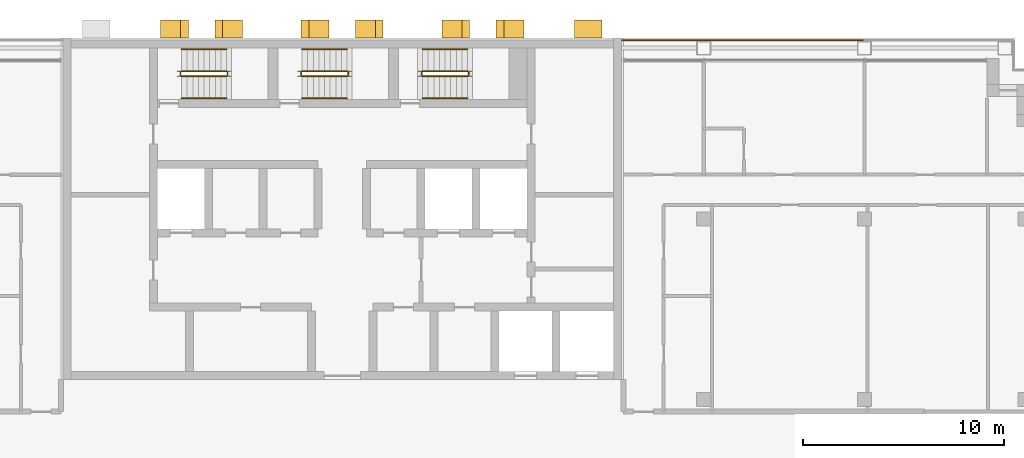
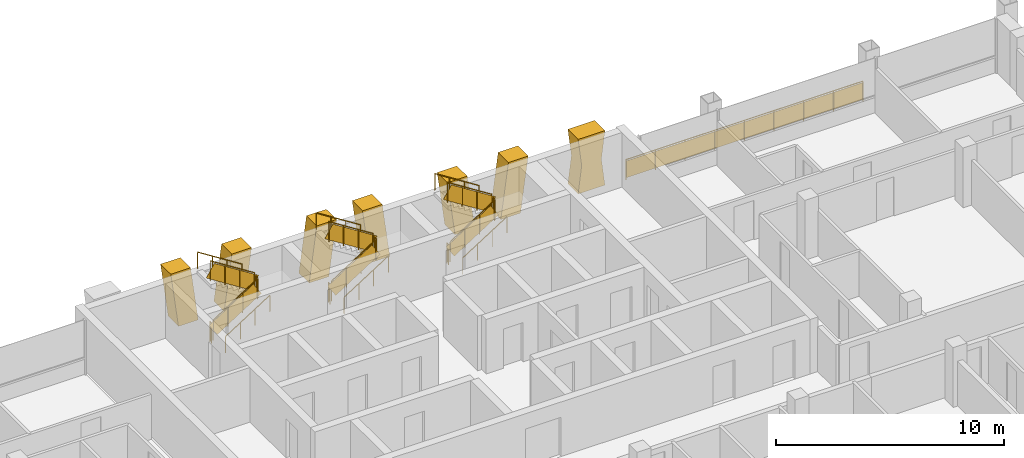
# One storey, part 15 of 16: 19 railings, 7 shading devices.
"""IFC4 building model written with IfcOpenShell, lengths in metres."""

from ifc_helpers import new_model, si_unit, direction, frame, origin, origin_2d, place, context, subcontext, project, spatial, polyline, rectangle, circle, outline, extrude, material, layer, layer_set, type_object, element, save


model = new_model("IFC4")

# Units and contexts
model_context = context("Model", 3, precision=1e-05, world=origin(), true_north=direction((0.0, 1.0)))
body_context = subcontext(model_context, "Body", "Model", "MODEL_VIEW")
ifc_project = project(units=[si_unit("LENGTHUNIT", "METRE"), si_unit("AREAUNIT", "SQUARE_METRE"), si_unit("VOLUMEUNIT", "CUBIC_METRE"), si_unit("PLANEANGLEUNIT", "RADIAN"), si_unit("MASSUNIT", "GRAM", prefix="KILO")], contexts=[model_context])

# Site, building, storey
site_placement = place(None, origin())
site = spatial("IfcSite", under=ifc_project, at=site_placement, CompositionType="ELEMENT")
building_placement = place(site_placement, origin())
building = spatial("IfcBuilding", under=site, at=building_placement, Name="Vidyagriha Tower", CompositionType="ELEMENT")
storey_placement = place(building_placement, frame((0.0, 0.0, 174.89990234375)))
storey = spatial("IfcBuildingStorey", under=building, at=storey_placement, Name="L45", CompositionType="ELEMENT", Elevation=174.89990234375)

# Shading devices
ifc_material_1 = material(Name="Precast concrete C40/50 with brick facing", Category="concrete")
ifc_layer_1 = layer(ifc_material_1, 1.0)
ifc_layer_set_1 = layer_set([ifc_layer_1], Name="Precast concrete C40/50 with brick facing")
shading_device_type_1 = type_object("IfcShadingDeviceType", Name="Brick-faced rear rib arm leaning 8 degrees", PredefinedType="USERDEFINED", material=ifc_layer_set_1)
shading_device_1_placement = place(storey_placement, frame((6.343017578125, 20.449951171875, 0.0), z_axis=(0.0, 0.0, 1.0), x_axis=(-1.0, 0.0, 0.0)))
element("IfcShadingDevice", 1, at=shading_device_1_placement, inside=storey, type_object=shading_device_type_1, Name="Rear rib arm L45 R08.2a", ObjectType="BLADE FIN", PredefinedType="USERDEFINED", context=body_context, shape_type="SweptSolid", body=[
    extrude(outline(polyline([(0.0, 0.0), (1.0, 0.0), (1.3857421875, 2.920166015625), (0.3857421875, 2.920166015625), (0.0, 0.0)])), frame((0.0, 0.449951171875, 0.0), z_axis=(0.0, -1.0, 0.0), x_axis=(1.0, 0.0, 0.0)), (0.0, 0.0, 1.0), 0.89990234375),
])
shading_device_2_placement = place(storey_placement, frame((9.04296875, 20.449951171875, 0.0), z_axis=(0.0, 0.0, 1.0), x_axis=(-1.0, 0.0, 0.0)))
element("IfcShadingDevice", 2, at=shading_device_2_placement, inside=storey, type_object=shading_device_type_1, Name="Rear rib arm L45 R08.2b", ObjectType="BLADE FIN", PredefinedType="USERDEFINED", context=body_context, shape_type="SweptSolid", body=[
    extrude(outline(polyline([(0.3857421875, 0.0), (1.3857421875, 0.0), (1.0, 2.920166015625), (0.0, 2.920166015625), (0.3857421875, 0.0)])), frame((0.0, 0.449951171875, 0.0), z_axis=(0.0, -1.0, 0.0), x_axis=(1.0, 0.0, 0.0)), (0.0, 0.0, 1.0), 0.89990234375),
])
shading_device_3_placement = place(storey_placement, frame((2.04296875, 20.449951171875, 0.0), z_axis=(0.0, 0.0, 1.0), x_axis=(-1.0, 0.0, 0.0)))
element("IfcShadingDevice", 3, at=shading_device_3_placement, inside=storey, type_object=shading_device_type_1, Name="Rear rib arm L45 R08.3a", ObjectType="BLADE FIN", PredefinedType="USERDEFINED", context=body_context, shape_type="SweptSolid", body=[
    extrude(outline(polyline([(0.0, 0.0), (1.0, 0.0), (1.3857421875, 2.920166015625), (0.3857421875, 2.920166015625), (0.0, 0.0)])), frame((0.0, 0.449951171875, 0.0), z_axis=(0.0, -1.0, 0.0), x_axis=(1.0, 0.0, 0.0)), (0.0, 0.0, 1.0), 0.89990234375),
])
shading_device_4_placement = place(storey_placement, frame((-0.656982421875, 20.449951171875, 0.0), z_axis=(0.0, 0.0, 1.0), x_axis=(-1.0, 0.0, 0.0)))
element("IfcShadingDevice", 4, at=shading_device_4_placement, inside=storey, type_object=shading_device_type_1, Name="Rear rib arm L45 R08.3b", ObjectType="BLADE FIN", PredefinedType="USERDEFINED", context=body_context, shape_type="SweptSolid", body=[
    extrude(outline(polyline([(0.3857421875, 0.0), (1.3857421875, 0.0), (1.0, 2.920166015625), (0.0, 2.920166015625), (0.3857421875, 0.0)])), frame((0.0, 0.449951171875, 0.0), z_axis=(0.0, -1.0, 0.0), x_axis=(1.0, 0.0, 0.0)), (0.0, 0.0, 1.0), 0.89990234375),
])
shading_device_5_placement = place(storey_placement, frame((-7.656982421875, 20.449951171875, 0.0), z_axis=(0.0, 0.0, 1.0), x_axis=(-1.0, 0.0, 0.0)))
element("IfcShadingDevice", 5, at=shading_device_5_placement, inside=storey, type_object=shading_device_type_1, Name="Rear rib arm L45 R08.4a", ObjectType="BLADE FIN", PredefinedType="USERDEFINED", context=body_context, shape_type="SweptSolid", body=[
    extrude(outline(polyline([(0.0, 0.0), (1.0, 0.0), (1.3857421875, 2.920166015625), (0.3857421875, 2.920166015625), (0.0, 0.0)])), frame((0.0, 0.449951171875, 0.0), z_axis=(0.0, -1.0, 0.0), x_axis=(1.0, 0.0, 0.0)), (0.0, 0.0, 1.0), 0.89990234375),
])
shading_device_6_placement = place(storey_placement, frame((-4.95703125, 20.449951171875, 0.0), z_axis=(0.0, 0.0, 1.0), x_axis=(-1.0, 0.0, 0.0)))
element("IfcShadingDevice", 6, at=shading_device_6_placement, inside=storey, type_object=shading_device_type_1, Name="Rear rib arm L45 R08.4b", ObjectType="BLADE FIN", PredefinedType="USERDEFINED", context=body_context, shape_type="SweptSolid", body=[
    extrude(outline(polyline([(0.3857421875, 0.0), (1.3857421875, 0.0), (1.0, 2.920166015625), (0.0, 2.920166015625), (0.3857421875, 0.0)])), frame((0.0, 0.449951171875, 0.0), z_axis=(0.0, -1.0, 0.0), x_axis=(1.0, 0.0, 0.0)), (0.0, 0.0, 1.0), 0.89990234375),
])
ifc_material_2 = material(Name="Precast concrete C40/50 with brick facing", Category="concrete")
ifc_layer_2 = layer(ifc_material_2, 1.0)
ifc_layer_set_2 = layer_set([ifc_layer_2], Name="Precast concrete C40/50 with brick facing")
shading_device_type_2 = type_object("IfcShadingDeviceType", Name="Brick-faced rear rib forking 8 degrees", PredefinedType="USERDEFINED", material=ifc_layer_set_2)
shading_device_7_placement = place(storey_placement, frame((12.9287109375, 20.449951171875, 0.0), z_axis=(0.0, 0.0, 1.0), x_axis=(-1.0, 0.0, 0.0)))
element("IfcShadingDevice", 7, at=shading_device_7_placement, inside=storey, type_object=shading_device_type_2, Name="Rear rib fork L45 R08.1a", ObjectType="BLADE FIN", PredefinedType="USERDEFINED", context=body_context, shape_type="SweptSolid", body=[
    extrude(outline(polyline([(0.0, 0.0), (1.357177734375, 0.0), (1.1787109375, 1.460205078125), (1.357177734375, 2.920166015625), (0.0, 2.920166015625), (0.1787109375, 1.460205078125), (0.0, 0.0)])), frame((0.0, 0.449951171875, 0.0), z_axis=(0.0, -1.0, 0.0), x_axis=(1.0, 0.0, 0.0)), (0.0, 0.0, 1.0), 0.89990234375),
])

# Railings
ifc_material_3 = material(Name="Steel ASTM A500 Grade C black painted", Category="steel")
railing_type_1 = type_object("IfcRailingType", Name="Gallery guard 1100", PredefinedType="GUARDRAIL", material=ifc_material_3)
railing_1_placement = place(storey_placement, frame((13.929931640625, 19.89990234375, 0.0)))
element("IfcRailing", 8, at=railing_1_placement, inside=storey, type_object=railing_type_1, Name="Gallery guard L45 6", PredefinedType="GUARDRAIL", context=body_context, shape_type="SweptSolid", body=[
    extrude(circle(Radius=0.02490234375, at=origin_2d()), frame((0.0, 0.0, 1.0751953125), z_axis=(1.0, 0.0, 0.0), x_axis=(0.0, 1.0, 0.0)), (0.0, 0.0, 1.0), 12.0),
    extrude(circle(Radius=0.02001953125, at=origin_2d()), origin(), (0.0, 0.0, 1.0), 1.050048828125),
    extrude(circle(Radius=0.02001953125, at=origin_2d()), frame((1.5, 0.0, 0.0)), (0.0, 0.0, 1.0), 1.050048828125),
    extrude(circle(Radius=0.02001953125, at=origin_2d()), frame((3.0, 0.0, 0.0)), (0.0, 0.0, 1.0), 1.050048828125),
    extrude(circle(Radius=0.02001953125, at=origin_2d()), frame((4.5, 0.0, 0.0)), (0.0, 0.0, 1.0), 1.050048828125),
    extrude(circle(Radius=0.02001953125, at=origin_2d()), frame((6.0, 0.0, 0.0)), (0.0, 0.0, 1.0), 1.050048828125),
    extrude(circle(Radius=0.02001953125, at=origin_2d()), frame((7.5, 0.0, 0.0)), (0.0, 0.0, 1.0), 1.050048828125),
    extrude(circle(Radius=0.02001953125, at=origin_2d()), frame((9.0, 0.0, 0.0)), (0.0, 0.0, 1.0), 1.050048828125),
    extrude(circle(Radius=0.02001953125, at=origin_2d()), frame((10.5, 0.0, 0.0)), (0.0, 0.0, 1.0), 1.050048828125),
    extrude(circle(Radius=0.02001953125, at=origin_2d()), frame((12.0, 0.0, 0.0)), (0.0, 0.0, 1.0), 1.050048828125),
    extrude(rectangle(XDim=0.010009765625, YDim=0.900146484375, at=origin_2d()), frame((0.0, 0.0, 0.550048828125), z_axis=(1.0, 0.0, 0.0), x_axis=(0.0, 1.0, 0.0)), (0.0, 0.0, 1.0), 12.0),
])
ifc_material_4 = material(Name="Steel ASTM A500 Grade C", Category="steel")
railing_type_2 = type_object("IfcRailingType", Name="Stair guard 1100 mm, steel balustrade", PredefinedType="GUARDRAIL", material=ifc_material_4)
railing_2_placement = place(storey_placement, frame((-8.0, 18.10009765625, 0.177978515625)))
element("IfcRailing", 9, at=railing_2_placement, inside=storey, type_object=railing_type_2, Name="L45 ST1 stair guard 1", PredefinedType="GUARDRAIL", context=body_context, shape_type="SweptSolid", body=[
    extrude(circle(Radius=0.02392578125, at=origin_2d()), frame((0.0, 0.0, 1.076171875), z_axis=(0.8442293374, 0.0, 0.53598211339), x_axis=(0.0, 1.0, 0.0)), (0.0, 0.0, 1.0), 2.6533203125),
    extrude(circle(Radius=0.02099609375, at=origin_2d()), origin(), (0.0, 0.0, 1.0), 1.052001953125),
    extrude(circle(Radius=0.02099609375, at=origin_2d()), frame((0.74658203125, 0.0, 0.47412109375)), (0.0, 0.0, 1.0), 1.052001953125),
    extrude(circle(Radius=0.02099609375, at=origin_2d()), frame((1.493408203125, 0.0, 0.947998046875)), (0.0, 0.0, 1.0), 1.052001953125),
    extrude(circle(Radius=0.02099609375, at=origin_2d()), frame((2.239990234375, 0.0, 1.422119140625)), (0.0, 0.0, 1.0), 1.052001953125),
    extrude(rectangle(XDim=0.010009765625, YDim=0.761474609375, at=origin_2d()), frame((0.0, 0.0, 0.551025390625), z_axis=(0.8442293374, 0.0, 0.53598211339), x_axis=(0.0, 1.0, 0.0)), (0.0, 0.0, 1.0), 2.6533203125),
])
railing_3_placement = place(storey_placement, frame((-5.7099609375, 18.14990234375, 1.60009765625)))
element("IfcRailing", 10, at=railing_3_placement, inside=storey, type_object=railing_type_2, Name="L45 ST1 stair guard 2", PredefinedType="GUARDRAIL", context=body_context, shape_type="SweptSolid", body=[
    extrude(circle(Radius=0.02392578125, at=origin_2d()), frame((0.0, 0.0, 1.076171875), z_axis=(0.0, 1.0, 0.0), x_axis=(-1.0, 0.0, 0.0)), (0.0, 0.0, 1.0), 0.150146484375),
    extrude(circle(Radius=0.02099609375, at=origin_2d()), origin(), (0.0, 0.0, 1.0), 1.052001953125),
    extrude(circle(Radius=0.02099609375, at=origin_2d()), frame((0.0, 0.150146484375, 0.0)), (0.0, 0.0, 1.0), 1.052001953125),
    extrude(rectangle(XDim=0.010009765625, YDim=0.902099609375, at=origin_2d()), frame((0.0, 0.0, 0.551025390625), z_axis=(0.0, 1.0, 0.0), x_axis=(-1.0, 0.0, 0.0)), (0.0, 0.0, 1.0), 0.150146484375),
])
railing_4_placement = place(storey_placement, frame((-5.760009765625, 18.35009765625, 1.77783203125)))
element("IfcRailing", 11, at=railing_4_placement, inside=storey, type_object=railing_type_2, Name="L45 ST1 stair guard 3", PredefinedType="GUARDRAIL", context=body_context, shape_type="SweptSolid", body=[
    extrude(circle(Radius=0.02392578125, at=origin_2d()), frame((0.0, 0.0, 1.076171875), z_axis=(-0.84418770128, 0.0, 0.536047689118), x_axis=(0.0, -1.0, 0.0)), (0.0, 0.0, 1.0), 2.6533203125),
    extrude(circle(Radius=0.02099609375, at=origin_2d()), origin(), (0.0, 0.0, 1.0), 1.052001953125),
    extrude(circle(Radius=0.02099609375, at=origin_2d()), frame((-0.74658203125, 0.0, 0.47412109375)), (0.0, 0.0, 1.0), 1.052001953125),
    extrude(circle(Radius=0.02099609375, at=origin_2d()), frame((-1.493408203125, 0.0, 0.9482421875)), (0.0, 0.0, 1.0), 1.052001953125),
    extrude(circle(Radius=0.02099609375, at=origin_2d()), frame((-2.239990234375, 0.0, 1.42236328125)), (0.0, 0.0, 1.0), 1.052001953125),
    extrude(rectangle(XDim=0.010009765625, YDim=0.761474609375, at=origin_2d()), frame((0.0, 0.0, 0.551025390625), z_axis=(-0.84418770128, 0.0, 0.536047689118), x_axis=(0.0, -1.0, 0.0)), (0.0, 0.0, 1.0), 2.6533203125),
])
railing_5_placement = place(storey_placement, frame((-8.050048828125, 18.14990234375, 0.0)))
element("IfcRailing", 12, at=railing_5_placement, inside=storey, type_object=railing_type_2, Name="L45 ST1 stair guard 4", PredefinedType="GUARDRAIL", context=body_context, shape_type="SweptSolid", body=[
    extrude(circle(Radius=0.02392578125, at=origin_2d()), frame((0.0, 0.0, 1.076171875), z_axis=(0.0, 1.0, 0.0), x_axis=(-1.0, 0.0, 0.0)), (0.0, 0.0, 1.0), 0.150146484375),
    extrude(circle(Radius=0.02099609375, at=origin_2d()), origin(), (0.0, 0.0, 1.0), 1.052001953125),
    extrude(circle(Radius=0.02099609375, at=origin_2d()), frame((0.0, 0.150146484375, 0.0)), (0.0, 0.0, 1.0), 1.052001953125),
    extrude(rectangle(XDim=0.010009765625, YDim=0.902099609375, at=origin_2d()), frame((0.0, 0.0, 0.551025390625), z_axis=(0.0, 1.0, 0.0), x_axis=(-1.0, 0.0, 0.0)), (0.0, 0.0, 1.0), 0.150146484375),
])
railing_6_placement = place(storey_placement, frame((-2.0, 18.10009765625, 0.177978515625)))
element("IfcRailing", 13, at=railing_6_placement, inside=storey, type_object=railing_type_2, Name="L45 ST2 stair guard 1", PredefinedType="GUARDRAIL", context=body_context, shape_type="SweptSolid", body=[
    extrude(circle(Radius=0.02392578125, at=origin_2d()), frame((0.0, 0.0, 1.076171875), z_axis=(0.8442293374, 0.0, 0.53598211339), x_axis=(0.0, 1.0, 0.0)), (0.0, 0.0, 1.0), 2.6533203125),
    extrude(circle(Radius=0.02099609375, at=origin_2d()), origin(), (0.0, 0.0, 1.0), 1.052001953125),
    extrude(circle(Radius=0.02099609375, at=origin_2d()), frame((0.74658203125, 0.0, 0.47412109375)), (0.0, 0.0, 1.0), 1.052001953125),
    extrude(circle(Radius=0.02099609375, at=origin_2d()), frame((1.493408203125, 0.0, 0.947998046875)), (0.0, 0.0, 1.0), 1.052001953125),
    extrude(circle(Radius=0.02099609375, at=origin_2d()), frame((2.239990234375, 0.0, 1.422119140625)), (0.0, 0.0, 1.0), 1.052001953125),
    extrude(rectangle(XDim=0.010009765625, YDim=0.761474609375, at=origin_2d()), frame((0.0, 0.0, 0.551025390625), z_axis=(0.8442293374, 0.0, 0.53598211339), x_axis=(0.0, 1.0, 0.0)), (0.0, 0.0, 1.0), 2.6533203125),
])
railing_7_placement = place(storey_placement, frame((0.2900390625, 18.14990234375, 1.60009765625)))
element("IfcRailing", 14, at=railing_7_placement, inside=storey, type_object=railing_type_2, Name="L45 ST2 stair guard 2", PredefinedType="GUARDRAIL", context=body_context, shape_type="SweptSolid", body=[
    extrude(circle(Radius=0.02392578125, at=origin_2d()), frame((0.0, 0.0, 1.076171875), z_axis=(0.0, 1.0, 0.0), x_axis=(-1.0, 0.0, 0.0)), (0.0, 0.0, 1.0), 0.150146484375),
    extrude(circle(Radius=0.02099609375, at=origin_2d()), origin(), (0.0, 0.0, 1.0), 1.052001953125),
    extrude(circle(Radius=0.02099609375, at=origin_2d()), frame((0.0, 0.150146484375, 0.0)), (0.0, 0.0, 1.0), 1.052001953125),
    extrude(rectangle(XDim=0.010009765625, YDim=0.902099609375, at=origin_2d()), frame((0.0, 0.0, 0.551025390625), z_axis=(0.0, 1.0, 0.0), x_axis=(-1.0, 0.0, 0.0)), (0.0, 0.0, 1.0), 0.150146484375),
])
railing_8_placement = place(storey_placement, frame((0.239990234375, 18.35009765625, 1.77783203125)))
element("IfcRailing", 15, at=railing_8_placement, inside=storey, type_object=railing_type_2, Name="L45 ST2 stair guard 3", PredefinedType="GUARDRAIL", context=body_context, shape_type="SweptSolid", body=[
    extrude(circle(Radius=0.02392578125, at=origin_2d()), frame((0.0, 0.0, 1.076171875), z_axis=(-0.84418770128, 0.0, 0.536047689118), x_axis=(0.0, -1.0, 0.0)), (0.0, 0.0, 1.0), 2.6533203125),
    extrude(circle(Radius=0.02099609375, at=origin_2d()), origin(), (0.0, 0.0, 1.0), 1.052001953125),
    extrude(circle(Radius=0.02099609375, at=origin_2d()), frame((-0.74658203125, 0.0, 0.47412109375)), (0.0, 0.0, 1.0), 1.052001953125),
    extrude(circle(Radius=0.02099609375, at=origin_2d()), frame((-1.493408203125, 0.0, 0.9482421875)), (0.0, 0.0, 1.0), 1.052001953125),
    extrude(circle(Radius=0.02099609375, at=origin_2d()), frame((-2.239990234375, 0.0, 1.42236328125)), (0.0, 0.0, 1.0), 1.052001953125),
    extrude(rectangle(XDim=0.010009765625, YDim=0.761474609375, at=origin_2d()), frame((0.0, 0.0, 0.551025390625), z_axis=(-0.84418770128, 0.0, 0.536047689118), x_axis=(0.0, -1.0, 0.0)), (0.0, 0.0, 1.0), 2.6533203125),
])
railing_9_placement = place(storey_placement, frame((-2.050048828125, 18.14990234375, 0.0)))
element("IfcRailing", 16, at=railing_9_placement, inside=storey, type_object=railing_type_2, Name="L45 ST2 stair guard 4", PredefinedType="GUARDRAIL", context=body_context, shape_type="SweptSolid", body=[
    extrude(circle(Radius=0.02392578125, at=origin_2d()), frame((0.0, 0.0, 1.076171875), z_axis=(0.0, 1.0, 0.0), x_axis=(-1.0, 0.0, 0.0)), (0.0, 0.0, 1.0), 0.150146484375),
    extrude(circle(Radius=0.02099609375, at=origin_2d()), origin(), (0.0, 0.0, 1.0), 1.052001953125),
    extrude(circle(Radius=0.02099609375, at=origin_2d()), frame((0.0, 0.150146484375, 0.0)), (0.0, 0.0, 1.0), 1.052001953125),
    extrude(rectangle(XDim=0.010009765625, YDim=0.902099609375, at=origin_2d()), frame((0.0, 0.0, 0.551025390625), z_axis=(0.0, 1.0, 0.0), x_axis=(-1.0, 0.0, 0.0)), (0.0, 0.0, 1.0), 0.150146484375),
])
railing_10_placement = place(storey_placement, frame((4.0, 18.10009765625, 0.177978515625)))
element("IfcRailing", 17, at=railing_10_placement, inside=storey, type_object=railing_type_2, Name="L45 ST3 stair guard 1", PredefinedType="GUARDRAIL", context=body_context, shape_type="SweptSolid", body=[
    extrude(circle(Radius=0.02392578125, at=origin_2d()), frame((0.0, 0.0, 1.076171875), z_axis=(0.8442293374, 0.0, 0.53598211339), x_axis=(0.0, 1.0, 0.0)), (0.0, 0.0, 1.0), 2.6533203125),
    extrude(circle(Radius=0.02099609375, at=origin_2d()), origin(), (0.0, 0.0, 1.0), 1.052001953125),
    extrude(circle(Radius=0.02099609375, at=origin_2d()), frame((0.74658203125, 0.0, 0.47412109375)), (0.0, 0.0, 1.0), 1.052001953125),
    extrude(circle(Radius=0.02099609375, at=origin_2d()), frame((1.493408203125, 0.0, 0.947998046875)), (0.0, 0.0, 1.0), 1.052001953125),
    extrude(circle(Radius=0.02099609375, at=origin_2d()), frame((2.239990234375, 0.0, 1.422119140625)), (0.0, 0.0, 1.0), 1.052001953125),
    extrude(rectangle(XDim=0.010009765625, YDim=0.761474609375, at=origin_2d()), frame((0.0, 0.0, 0.551025390625), z_axis=(0.8442293374, 0.0, 0.53598211339), x_axis=(0.0, 1.0, 0.0)), (0.0, 0.0, 1.0), 2.6533203125),
])
railing_11_placement = place(storey_placement, frame((6.2900390625, 18.14990234375, 1.60009765625)))
element("IfcRailing", 18, at=railing_11_placement, inside=storey, type_object=railing_type_2, Name="L45 ST3 stair guard 2", PredefinedType="GUARDRAIL", context=body_context, shape_type="SweptSolid", body=[
    extrude(circle(Radius=0.02392578125, at=origin_2d()), frame((0.0, 0.0, 1.076171875), z_axis=(0.0, 1.0, 0.0), x_axis=(-1.0, 0.0, 0.0)), (0.0, 0.0, 1.0), 0.150146484375),
    extrude(circle(Radius=0.02099609375, at=origin_2d()), origin(), (0.0, 0.0, 1.0), 1.052001953125),
    extrude(circle(Radius=0.02099609375, at=origin_2d()), frame((0.0, 0.150146484375, 0.0)), (0.0, 0.0, 1.0), 1.052001953125),
    extrude(rectangle(XDim=0.010009765625, YDim=0.902099609375, at=origin_2d()), frame((0.0, 0.0, 0.551025390625), z_axis=(0.0, 1.0, 0.0), x_axis=(-1.0, 0.0, 0.0)), (0.0, 0.0, 1.0), 0.150146484375),
])
railing_12_placement = place(storey_placement, frame((6.239990234375, 18.35009765625, 1.77783203125)))
element("IfcRailing", 19, at=railing_12_placement, inside=storey, type_object=railing_type_2, Name="L45 ST3 stair guard 3", PredefinedType="GUARDRAIL", context=body_context, shape_type="SweptSolid", body=[
    extrude(circle(Radius=0.02392578125, at=origin_2d()), frame((0.0, 0.0, 1.076171875), z_axis=(-0.84418770128, 0.0, 0.536047689118), x_axis=(0.0, -1.0, 0.0)), (0.0, 0.0, 1.0), 2.6533203125),
    extrude(circle(Radius=0.02099609375, at=origin_2d()), origin(), (0.0, 0.0, 1.0), 1.052001953125),
    extrude(circle(Radius=0.02099609375, at=origin_2d()), frame((-0.74658203125, 0.0, 0.47412109375)), (0.0, 0.0, 1.0), 1.052001953125),
    extrude(circle(Radius=0.02099609375, at=origin_2d()), frame((-1.493408203125, 0.0, 0.9482421875)), (0.0, 0.0, 1.0), 1.052001953125),
    extrude(circle(Radius=0.02099609375, at=origin_2d()), frame((-2.239990234375, 0.0, 1.42236328125)), (0.0, 0.0, 1.0), 1.052001953125),
    extrude(rectangle(XDim=0.010009765625, YDim=0.761474609375, at=origin_2d()), frame((0.0, 0.0, 0.551025390625), z_axis=(-0.84418770128, 0.0, 0.536047689118), x_axis=(0.0, -1.0, 0.0)), (0.0, 0.0, 1.0), 2.6533203125),
])
railing_13_placement = place(storey_placement, frame((3.949951171875, 18.14990234375, 0.0)))
element("IfcRailing", 20, at=railing_13_placement, inside=storey, type_object=railing_type_2, Name="L45 ST3 stair guard 4", PredefinedType="GUARDRAIL", context=body_context, shape_type="SweptSolid", body=[
    extrude(circle(Radius=0.02392578125, at=origin_2d()), frame((0.0, 0.0, 1.076171875), z_axis=(0.0, 1.0, 0.0), x_axis=(-1.0, 0.0, 0.0)), (0.0, 0.0, 1.0), 0.150146484375),
    extrude(circle(Radius=0.02099609375, at=origin_2d()), origin(), (0.0, 0.0, 1.0), 1.052001953125),
    extrude(circle(Radius=0.02099609375, at=origin_2d()), frame((0.0, 0.150146484375, 0.0)), (0.0, 0.0, 1.0), 1.052001953125),
    extrude(rectangle(XDim=0.010009765625, YDim=0.902099609375, at=origin_2d()), frame((0.0, 0.0, 0.551025390625), z_axis=(0.0, 1.0, 0.0), x_axis=(-1.0, 0.0, 0.0)), (0.0, 0.0, 1.0), 0.150146484375),
])
ifc_material_5 = material(Name="Steel ASTM A500 Grade C", Category="steel")
railing_type_3 = type_object("IfcRailingType", Name="Stair handrail 900 mm, steel", PredefinedType="HANDRAIL", material=ifc_material_5)
railing_14_placement = place(storey_placement, frame((-8.0, 17.0, 0.177978515625)))
element("IfcRailing", 21, at=railing_14_placement, inside=storey, type_object=railing_type_3, Name="L45 ST1 stair handrail 1", PredefinedType="HANDRAIL", context=body_context, shape_type="SweptSolid", body=[
    extrude(circle(Radius=0.02392578125, at=origin_2d()), frame((0.0, 0.0, 0.8759765625), z_axis=(0.8442293374, 0.0, 0.53598211339), x_axis=(0.0, 1.0, 0.0)), (0.0, 0.0, 1.0), 2.6533203125),
    extrude(circle(Radius=0.02099609375, at=origin_2d()), origin(), (0.0, 0.0, 1.0), 0.851806640625),
    extrude(circle(Radius=0.02099609375, at=origin_2d()), frame((0.74658203125, 0.0, 0.47412109375)), (0.0, 0.0, 1.0), 0.851806640625),
    extrude(circle(Radius=0.02099609375, at=origin_2d()), frame((1.493408203125, 0.0, 0.947998046875)), (0.0, 0.0, 1.0), 0.851806640625),
    extrude(circle(Radius=0.02099609375, at=origin_2d()), frame((2.239990234375, 0.0, 1.422119140625)), (0.0, 0.0, 1.0), 0.851806640625),
])
railing_15_placement = place(storey_placement, frame((-5.760009765625, 19.449951171875, 1.77783203125)))
element("IfcRailing", 22, at=railing_15_placement, inside=storey, type_object=railing_type_3, Name="L45 ST1 stair handrail 2", PredefinedType="HANDRAIL", context=body_context, shape_type="SweptSolid", body=[
    extrude(circle(Radius=0.02392578125, at=origin_2d()), frame((0.0, 0.0, 0.8759765625), z_axis=(-0.84418770128, 0.0, 0.536047689118), x_axis=(0.0, -1.0, 0.0)), (0.0, 0.0, 1.0), 2.6533203125),
    extrude(circle(Radius=0.02099609375, at=origin_2d()), origin(), (0.0, 0.0, 1.0), 0.851806640625),
    extrude(circle(Radius=0.02099609375, at=origin_2d()), frame((-0.74658203125, 0.0, 0.47412109375)), (0.0, 0.0, 1.0), 0.851806640625),
    extrude(circle(Radius=0.02099609375, at=origin_2d()), frame((-1.493408203125, 0.0, 0.9482421875)), (0.0, 0.0, 1.0), 0.851806640625),
    extrude(circle(Radius=0.02099609375, at=origin_2d()), frame((-2.239990234375, 0.0, 1.42236328125)), (0.0, 0.0, 1.0), 0.851806640625),
])
railing_16_placement = place(storey_placement, frame((-2.0, 17.0, 0.177978515625)))
element("IfcRailing", 23, at=railing_16_placement, inside=storey, type_object=railing_type_3, Name="L45 ST2 stair handrail 1", PredefinedType="HANDRAIL", context=body_context, shape_type="SweptSolid", body=[
    extrude(circle(Radius=0.02392578125, at=origin_2d()), frame((0.0, 0.0, 0.8759765625), z_axis=(0.8442293374, 0.0, 0.53598211339), x_axis=(0.0, 1.0, 0.0)), (0.0, 0.0, 1.0), 2.6533203125),
    extrude(circle(Radius=0.02099609375, at=origin_2d()), origin(), (0.0, 0.0, 1.0), 0.851806640625),
    extrude(circle(Radius=0.02099609375, at=origin_2d()), frame((0.74658203125, 0.0, 0.47412109375)), (0.0, 0.0, 1.0), 0.851806640625),
    extrude(circle(Radius=0.02099609375, at=origin_2d()), frame((1.493408203125, 0.0, 0.947998046875)), (0.0, 0.0, 1.0), 0.851806640625),
    extrude(circle(Radius=0.02099609375, at=origin_2d()), frame((2.239990234375, 0.0, 1.422119140625)), (0.0, 0.0, 1.0), 0.851806640625),
])
railing_17_placement = place(storey_placement, frame((0.239990234375, 19.449951171875, 1.77783203125)))
element("IfcRailing", 24, at=railing_17_placement, inside=storey, type_object=railing_type_3, Name="L45 ST2 stair handrail 2", PredefinedType="HANDRAIL", context=body_context, shape_type="SweptSolid", body=[
    extrude(circle(Radius=0.02392578125, at=origin_2d()), frame((0.0, 0.0, 0.8759765625), z_axis=(-0.84418770128, 0.0, 0.536047689118), x_axis=(0.0, -1.0, 0.0)), (0.0, 0.0, 1.0), 2.6533203125),
    extrude(circle(Radius=0.02099609375, at=origin_2d()), origin(), (0.0, 0.0, 1.0), 0.851806640625),
    extrude(circle(Radius=0.02099609375, at=origin_2d()), frame((-0.74658203125, 0.0, 0.47412109375)), (0.0, 0.0, 1.0), 0.851806640625),
    extrude(circle(Radius=0.02099609375, at=origin_2d()), frame((-1.493408203125, 0.0, 0.9482421875)), (0.0, 0.0, 1.0), 0.851806640625),
    extrude(circle(Radius=0.02099609375, at=origin_2d()), frame((-2.239990234375, 0.0, 1.42236328125)), (0.0, 0.0, 1.0), 0.851806640625),
])
railing_18_placement = place(storey_placement, frame((4.0, 17.0, 0.177978515625)))
element("IfcRailing", 25, at=railing_18_placement, inside=storey, type_object=railing_type_3, Name="L45 ST3 stair handrail 1", PredefinedType="HANDRAIL", context=body_context, shape_type="SweptSolid", body=[
    extrude(circle(Radius=0.02392578125, at=origin_2d()), frame((0.0, 0.0, 0.8759765625), z_axis=(0.8442293374, 0.0, 0.53598211339), x_axis=(0.0, 1.0, 0.0)), (0.0, 0.0, 1.0), 2.6533203125),
    extrude(circle(Radius=0.02099609375, at=origin_2d()), origin(), (0.0, 0.0, 1.0), 0.851806640625),
    extrude(circle(Radius=0.02099609375, at=origin_2d()), frame((0.74658203125, 0.0, 0.47412109375)), (0.0, 0.0, 1.0), 0.851806640625),
    extrude(circle(Radius=0.02099609375, at=origin_2d()), frame((1.493408203125, 0.0, 0.947998046875)), (0.0, 0.0, 1.0), 0.851806640625),
    extrude(circle(Radius=0.02099609375, at=origin_2d()), frame((2.239990234375, 0.0, 1.422119140625)), (0.0, 0.0, 1.0), 0.851806640625),
])
railing_19_placement = place(storey_placement, frame((6.239990234375, 19.449951171875, 1.77783203125)))
element("IfcRailing", 26, at=railing_19_placement, inside=storey, type_object=railing_type_3, Name="L45 ST3 stair handrail 2", PredefinedType="HANDRAIL", context=body_context, shape_type="SweptSolid", body=[
    extrude(circle(Radius=0.02392578125, at=origin_2d()), frame((0.0, 0.0, 0.8759765625), z_axis=(-0.84418770128, 0.0, 0.536047689118), x_axis=(0.0, -1.0, 0.0)), (0.0, 0.0, 1.0), 2.6533203125),
    extrude(circle(Radius=0.02099609375, at=origin_2d()), origin(), (0.0, 0.0, 1.0), 0.851806640625),
    extrude(circle(Radius=0.02099609375, at=origin_2d()), frame((-0.74658203125, 0.0, 0.47412109375)), (0.0, 0.0, 1.0), 0.851806640625),
    extrude(circle(Radius=0.02099609375, at=origin_2d()), frame((-1.493408203125, 0.0, 0.9482421875)), (0.0, 0.0, 1.0), 0.851806640625),
    extrude(circle(Radius=0.02099609375, at=origin_2d()), frame((-2.239990234375, 0.0, 1.42236328125)), (0.0, 0.0, 1.0), 0.851806640625),
])

save(model, "model.ifc")
